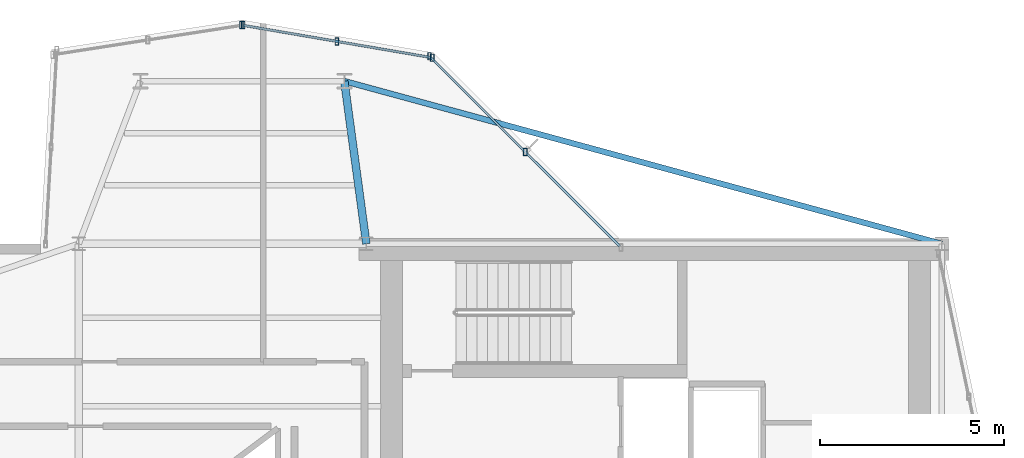
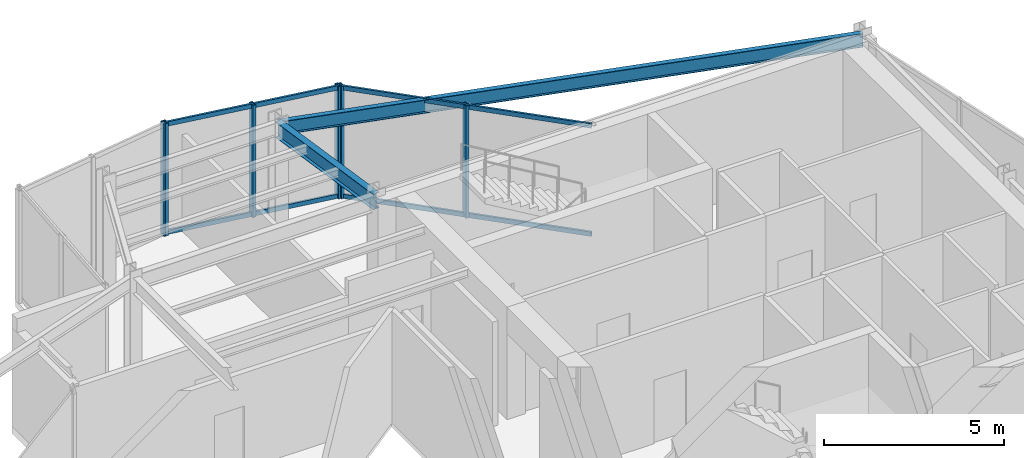
# One storey, part 6 of 13: 10 members, 2 beams, 3 elements without a shape of their own.
"""IFC4 building model written with IfcOpenShell, lengths in metres."""

from ifc_helpers import new_model, si_unit, direction, frame, origin, origin_2d, place, context, subcontext, project, spatial, hollow_rectangle, i_section, extrude, material, layer, layer_set, material_profile, profile_set, type_object, element, aggregate, save


model = new_model("IFC4")

# Units and contexts
model_context = context("Model", 3, precision=1e-05, world=origin(), true_north=direction((0.0, 1.0)))
body_context = subcontext(model_context, "Body", "Model", "MODEL_VIEW")
ifc_project = project(units=[si_unit("LENGTHUNIT", "METRE"), si_unit("AREAUNIT", "SQUARE_METRE"), si_unit("VOLUMEUNIT", "CUBIC_METRE"), si_unit("PLANEANGLEUNIT", "RADIAN"), si_unit("MASSUNIT", "GRAM", prefix="KILO")], contexts=[model_context])

# Site, building, storey
site_placement = place(None, origin())
site = spatial("IfcSite", under=ifc_project, at=site_placement, CompositionType="ELEMENT")
building_placement = place(site_placement, origin())
building = spatial("IfcBuilding", under=site, at=building_placement, Name="Veymaron Broadcast Tower", CompositionType="ELEMENT")
storey_placement = place(building_placement, frame((0.0, 0.0, 307.35009765625)))
storey = spatial("IfcBuildingStorey", under=building, at=storey_placement, Name="L72", CompositionType="ELEMENT", Elevation=307.35009765625)

# Beams
ifc_material_1 = material(Name="Structural steel ASTM A992 Gr 50", Category="steel")
ifc_material_profile_1 = material_profile(ifc_material_1, i_section(OverallWidth=0.208984375, OverallDepth=0.528076171875, WebThickness=0.009521484375, FlangeThickness=0.01318359375, at=origin_2d()), Name="W530X82")
ifc_profile_set_1 = profile_set([ifc_material_profile_1], Name="Structural steel ASTM A992 Gr 50")
beam_type_1 = type_object("IfcBeamType", Name="BM-FG4", PredefinedType="BEAM", material=ifc_profile_set_1)
beam_1_placement = place(storey_placement, frame((39.0, 32.0, 3.5458984375), z_axis=(-0.134286101992, 0.990942603187, 0.0), x_axis=(-0.990942603187, -0.134286101992, 0.0)))
element("IfcBeam", 1, at=beam_1_placement, inside=storey, type_object=beam_type_1, Name="L72 primary structural floor girder", PredefinedType="BEAM", context=body_context, shape_type="SweptSolid", body=[
    extrude(i_section(OverallWidth=0.208984375, OverallDepth=0.528076171875, WebThickness=0.009521484375, FlangeThickness=0.01318359375, at=origin_2d()), origin(), (0.0, 0.0, 1.0), 4.452392578125),
])
ifc_material_profile_2 = material_profile(ifc_material_1, i_section(OverallWidth=0.154052734375, OverallDepth=0.458984375, WebThickness=0.009033203125, FlangeThickness=0.015380859375, at=origin_2d()), Name="W460X68")
ifc_profile_set_2 = profile_set([ifc_material_profile_2], Name="Structural steel ASTM A992 Gr 50")
beam_type_2 = type_object("IfcBeamType", Name="BM-SP2", PredefinedType="SPANDREL", material=ifc_profile_set_2)
beam_2_placement = place(storey_placement, frame((54.60009765625, 32.0, 3.580322265625), z_axis=(-0.964847335687, 0.262810994477, 0.0), x_axis=(-0.262810994477, -0.964847335687, 0.0)))
element("IfcBeam", 2, at=beam_2_placement, inside=storey, type_object=beam_type_2, Name="L72 primary structural floor girder", PredefinedType="SPANDREL", context=body_context, shape_type="SweptSolid", body=[
    extrude(i_section(OverallWidth=0.154052734375, OverallDepth=0.458984375, WebThickness=0.009033203125, FlangeThickness=0.015380859375, at=origin_2d()), origin(), (0.0, 0.0, 1.0), 16.7880859375),
])

# Curtain wall, members
ifc_material_2 = material(Name="Anodised aluminium AA 6063-T6 and laminated low-E dark glass", Category="aluminium")
ifc_layer = layer(ifc_material_2, 0.179931640625)
ifc_layer_set = layer_set([ifc_layer], Name="Anodised aluminium AA 6063-T6 and laminated low-E dark glass")
curtain_wall_type = type_object("IfcCurtainWallType", Name="CW-SYS-06", PredefinedType="NOTDEFINED", material=ifc_layer_set)
curtain_wall_1_placement = place(storey_placement, origin())
curtain_wall_1 = element("IfcCurtainWall", 3, at=curtain_wall_1_placement, inside=storey, type_object=curtain_wall_type, Name="L72 dark-glass curtain wall CW-L72-E5-1", PredefinedType="NOTDEFINED")
ifc_material_3 = material(Name="Anodised aluminium AA 6063-T6", Category="aluminium")
ifc_material_profile_3 = material_profile(ifc_material_3, hollow_rectangle(XDim=0.10009765625, YDim=0.199951171875, WallThickness=0.010009765625, at=origin_2d()), Name="RHS200X100X10")
ifc_profile_set_3 = profile_set([ifc_material_profile_3], Name="Anodised aluminium AA 6063-T6")
member_type_1 = type_object("IfcMemberType", Name="CW-MUL-01", PredefinedType="MULLION", material=ifc_profile_set_3)
member_1_placement = place(storey_placement, frame((43.3056640625, 34.493408203125, 0.0), z_axis=(0.0, 0.0, 1.0), x_axis=(1.0, 0.0, 0.0)))
member_1 = element("IfcMember", 4, at=member_1_placement, type_object=member_type_1, Name="CW-L72-E5-1 mullion 1", PredefinedType="MULLION", context=body_context, shape_type="SweptSolid", body=[
    extrude(hollow_rectangle(XDim=0.10009765625, YDim=0.199951171875, WallThickness=0.010009765625, at=origin_2d()), origin(), (0.0, 0.0, 1.0), 3.809814453125),
])
member_2_placement = place(storey_placement, frame((40.711181640625, 37.085693359375, 0.0), z_axis=(0.0, 0.0, 1.0), x_axis=(1.0, 0.0, 0.0)))
member_2 = element("IfcMember", 5, at=member_2_placement, type_object=member_type_1, Name="CW-L72-E5-1 mullion 2", PredefinedType="MULLION", context=body_context, shape_type="SweptSolid", body=[
    extrude(hollow_rectangle(XDim=0.10009765625, YDim=0.199951171875, WallThickness=0.010009765625, at=origin_2d()), origin(), (0.0, 0.0, 1.0), 3.809814453125),
])

curtain_wall_2_placement = place(storey_placement, origin())
curtain_wall_2 = element("IfcCurtainWall", 6, at=curtain_wall_2_placement, inside=storey, type_object=curtain_wall_type, Name="L72 dark-glass curtain wall CW-L72-E6-1", PredefinedType="NOTDEFINED")
member_3_placement = place(storey_placement, frame((40.78662109375, 37.046875, 0.0), z_axis=(0.0, 0.0, 1.0), x_axis=(1.0, 0.0, 0.0)))
member_3 = element("IfcMember", 7, at=member_3_placement, type_object=member_type_1, Name="CW-L72-E6-1 mullion 0", PredefinedType="MULLION", context=body_context, shape_type="SweptSolid", body=[
    extrude(hollow_rectangle(XDim=0.10009765625, YDim=0.199951171875, WallThickness=0.010009765625, at=origin_2d()), origin(), (0.0, 0.0, 1.0), 3.809814453125),
])
member_4_placement = place(storey_placement, frame((38.199951171875, 37.489013671875, 0.0), z_axis=(0.0, 0.0, 1.0), x_axis=(1.0, 0.0, 0.0)))
member_4 = element("IfcMember", 8, at=member_4_placement, type_object=member_type_1, Name="CW-L72-E6-1 mullion 1", PredefinedType="MULLION", context=body_context, shape_type="SweptSolid", body=[
    extrude(hollow_rectangle(XDim=0.10009765625, YDim=0.199951171875, WallThickness=0.010009765625, at=origin_2d()), origin(), (0.0, 0.0, 1.0), 3.809814453125),
])
member_5_placement = place(storey_placement, frame((35.613525390625, 37.93115234375, 0.0), z_axis=(0.0, 0.0, 1.0), x_axis=(1.0, 0.0, 0.0)))
member_5 = element("IfcMember", 9, at=member_5_placement, type_object=member_type_1, Name="CW-L72-E6-1 mullion 2", PredefinedType="MULLION", context=body_context, shape_type="SweptSolid", body=[
    extrude(hollow_rectangle(XDim=0.10009765625, YDim=0.199951171875, WallThickness=0.010009765625, at=origin_2d()), origin(), (0.0, 0.0, 1.0), 3.809814453125),
])

# Curtain wall, member
curtain_wall_3_placement = place(storey_placement, origin())
curtain_wall_3 = element("IfcCurtainWall", 10, at=curtain_wall_3_placement, inside=storey, type_object=curtain_wall_type, Name="L72 dark-glass curtain wall CW-L72-E7-1", PredefinedType="NOTDEFINED")
member_6_placement = place(storey_placement, frame((35.65869140625, 37.930908203125, 0.0), z_axis=(0.0, 0.0, 1.0), x_axis=(1.0, 0.0, 0.0)))
member_6 = element("IfcMember", 11, at=member_6_placement, type_object=member_type_1, Name="CW-L72-E7-1 mullion 0", PredefinedType="MULLION", context=body_context, shape_type="SweptSolid", body=[
    extrude(hollow_rectangle(XDim=0.10009765625, YDim=0.199951171875, WallThickness=0.010009765625, at=origin_2d()), origin(), (0.0, 0.0, 1.0), 3.809814453125),
])
aggregate(curtain_wall_3, [member_6])

# Member
ifc_material_profile_4 = material_profile(ifc_material_3, hollow_rectangle(XDim=0.06494140625, YDim=0.14990234375, WallThickness=0.00390625, at=origin_2d()), Name="AL150X65X4")
ifc_profile_set_4 = profile_set([ifc_material_profile_4], Name="Anodised aluminium AA 6063-T6")
member_type_2 = type_object("IfcMemberType", Name="CW-TRN-01", PredefinedType="USERDEFINED", material=ifc_profile_set_4)
member_7_placement = place(storey_placement, frame((45.864990234375, 31.936279296875, 0.06982421875), z_axis=(-0.70739352698, 0.706819919064, 0.0), x_axis=(-0.706819919064, -0.70739352698, 0.0)))
member_7 = element("IfcMember", 12, at=member_7_placement, type_object=member_type_2, Name="CW-L72-E5-1 transom B", ObjectType="TRANSOM", PredefinedType="USERDEFINED", context=body_context, shape_type="SweptSolid", body=[
    extrude(hollow_rectangle(XDim=0.06494140625, YDim=0.14990234375, WallThickness=0.00390625, at=origin_2d()), origin(), (0.0, 0.0, 1.0), 7.235595703125),
])

member_8_placement = place(storey_placement, frame((45.864990234375, 31.936279296875, 3.739990234375), z_axis=(-0.70739352698, 0.706819919064, 0.0), x_axis=(-0.706819919064, -0.70739352698, 0.0)))
member_8 = element("IfcMember", 13, at=member_8_placement, type_object=member_type_2, Name="CW-L72-E5-1 transom T", ObjectType="TRANSOM", PredefinedType="USERDEFINED", context=body_context, shape_type="SweptSolid", body=[
    extrude(hollow_rectangle(XDim=0.06494140625, YDim=0.14990234375, WallThickness=0.00390625, at=origin_2d()), origin(), (0.0, 0.0, 1.0), 7.235595703125),
])

aggregate(curtain_wall_1, [member_1, member_2, member_7, member_8])

member_9_placement = place(storey_placement, frame((40.7373046875, 37.05517578125, 0.06982421875), z_axis=(-0.98569437166, 0.168542593066, 0.0), x_axis=(-0.168542593066, -0.98569437166, 0.0)))
member_9 = element("IfcMember", 14, at=member_9_placement, type_object=member_type_2, Name="CW-L72-E6-1 transom B", ObjectType="TRANSOM", PredefinedType="USERDEFINED", context=body_context, shape_type="SweptSolid", body=[
    extrude(hollow_rectangle(XDim=0.06494140625, YDim=0.14990234375, WallThickness=0.00390625, at=origin_2d()), origin(), (0.0, 0.0, 1.0), 5.148193359375),
])

member_10_placement = place(storey_placement, frame((40.7373046875, 37.05517578125, 3.739990234375), z_axis=(-0.98569437166, 0.168542593066, 0.0), x_axis=(-0.168542593066, -0.98569437166, 0.0)))
member_10 = element("IfcMember", 15, at=member_10_placement, type_object=member_type_2, Name="CW-L72-E6-1 transom T", ObjectType="TRANSOM", PredefinedType="USERDEFINED", context=body_context, shape_type="SweptSolid", body=[
    extrude(hollow_rectangle(XDim=0.06494140625, YDim=0.14990234375, WallThickness=0.00390625, at=origin_2d()), origin(), (0.0, 0.0, 1.0), 5.148193359375),
])

aggregate(curtain_wall_2, [member_3, member_4, member_5, member_9, member_10])

save(model, "model.ifc")
